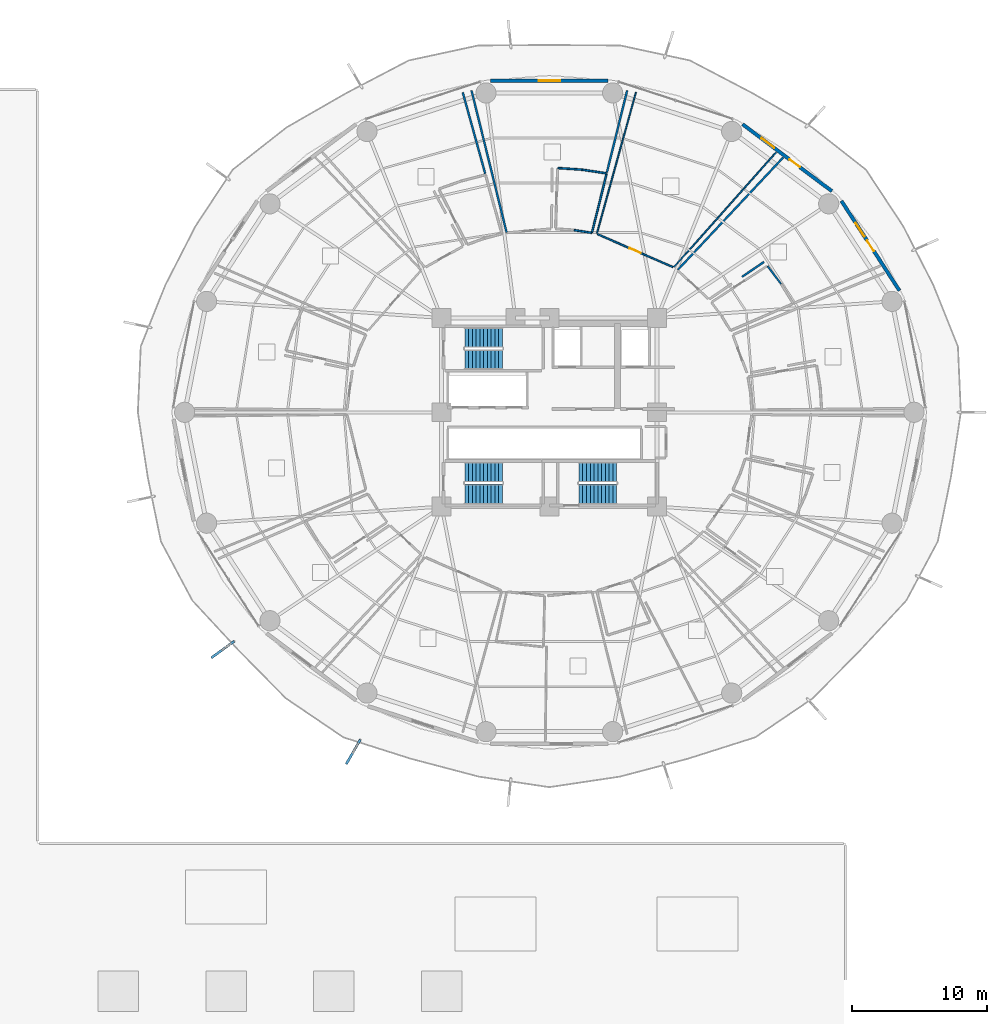
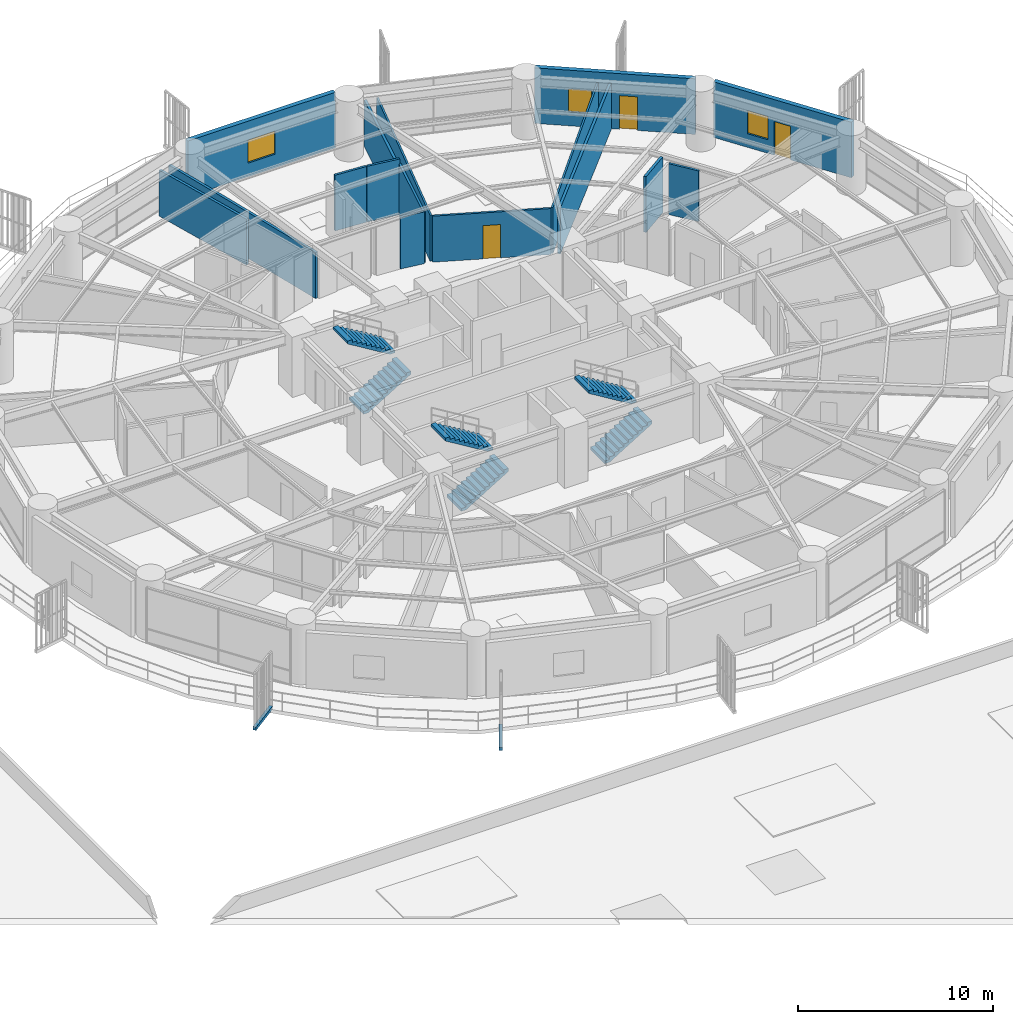
# One storey, part 29 of 35: 16 walls, 6 stair flights, 3 doors, 3 windows, 2 discrete accessories, 6 openings, 3 elements without a shape of their own.
"""IFC4 building model written with IfcOpenShell, lengths in metres."""

import ifcopenshell
import ifcopenshell.guid

model = None  # the IFC model being written
_history = None  # IfcOwnerHistory: only IFC2X3 demands one
_inside = {}  # id of a spatial element -> (the spatial element, [elements in it])
_under = {}  # id of a project, library or spatial element -> (it, [spatial elements below it])
_declared = {}  # id of a project -> (the project, [libraries it declares])
_typed = {}  # id of a type object -> (the type object, [elements of that type])
_made_of = {}  # id of a material, layer set ... -> (it, [elements and type objects made of it])


def new_model(schema):
    """Start an empty IFC model of exactly this schema.

    Asked for "IFC4X3", IfcOpenShell would pick the latest addendum, in which some entities
    have other attributes; the version numbers below select the first issue.
    IFC2X3 requires an IfcOwnerHistory on every rooted entity: one is made here for all.
    """
    global model, _history
    if schema == "IFC4X3":
        model = ifcopenshell.file(schema_version=(4, 3, 0, 0))
    else:
        model = ifcopenshell.file(schema=schema)
    _inside.clear()
    _under.clear()
    _declared.clear()
    _typed.clear()
    _made_of.clear()
    _history = None
    if model.schema == "IFC2X3":
        org = make("IfcOrganization", Name="unknown")
        user = make(
            "IfcPersonAndOrganization",
            ThePerson=make("IfcPerson", FamilyName="unknown"),
            TheOrganization=org,
        )
        app = make(
            "IfcApplication",
            ApplicationDeveloper=org,
            Version="unknown",
            ApplicationFullName="unknown",
            ApplicationIdentifier="unknown",
        )
        _history = make(
            "IfcOwnerHistory",
            OwningUser=user,
            OwningApplication=app,
            ChangeAction="ADDED",
            CreationDate=0,
        )
    return model


def make(cls, **values):
    """One entity of the class cls with the attributes given. An attribute that is None is left unset."""
    return model.create_entity(
        cls, **{name: value for name, value in values.items() if value is not None}
    )


def rooted(cls, **values):
    """An entity with a GlobalId (a new one), such as an element, a storey or a relation."""
    return make(cls, GlobalId=ifcopenshell.guid.new(), OwnerHistory=_history, **values)


def si_unit(unit_type, name, prefix=None):
    """IfcSIUnit, for example si_unit("LENGTHUNIT", "METRE", prefix="MILLI")."""
    return make("IfcSIUnit", UnitType=unit_type, Prefix=prefix, Name=name)


def assignment(units):
    """IfcUnitAssignment: the units of a project."""
    return None if units is None else make("IfcUnitAssignment", Units=units)


def point(xyz):
    """IfcCartesianPoint."""
    return None if xyz is None else make("IfcCartesianPoint", Coordinates=xyz)


def direction(xyz):
    """IfcDirection."""
    return None if xyz is None else make("IfcDirection", DirectionRatios=xyz)


def frame(location, z_axis=None, x_axis=None):
    """IfcAxis2Placement3D, a coordinate frame: its origin and axes. An axis left out is left unset."""
    return make(
        "IfcAxis2Placement3D",
        Location=point(location),
        Axis=direction(z_axis),
        RefDirection=direction(x_axis),
    )


def frame_2d(location, x_axis=None):
    """IfcAxis2Placement2D, a coordinate frame in the plane: its origin and x axis."""
    return make(
        "IfcAxis2Placement2D", Location=point(location), RefDirection=direction(x_axis)
    )


def origin():
    """The frame at (0, 0, 0) with its axes left unset."""
    return frame((0.0, 0.0, 0.0))


def origin_2d():
    """The frame at (0, 0) in the plane with its x axis left unset."""
    return frame_2d((0.0, 0.0))


def place(relative_to, where):
    """IfcLocalPlacement: puts the frame where relative to a parent placement (None: the world)."""
    return make(
        "IfcLocalPlacement", PlacementRelTo=relative_to, RelativePlacement=where
    )


def context(
    kind, dimensions, precision=None, world=None, true_north=None, identifier=None
):
    """IfcGeometricRepresentationContext, for example the 3D "Model" context."""
    return make(
        "IfcGeometricRepresentationContext",
        ContextIdentifier=identifier,
        ContextType=kind,
        CoordinateSpaceDimension=dimensions,
        Precision=precision,
        WorldCoordinateSystem=world,
        TrueNorth=true_north,
    )


def subcontext(parent, identifier, kind, view, scale=None):
    """IfcGeometricRepresentationSubContext, for example "Body" below "Model"."""
    return make(
        "IfcGeometricRepresentationSubContext",
        ContextIdentifier=identifier,
        ContextType=kind,
        ParentContext=parent,
        TargetScale=scale,
        TargetView=view,
    )


def project(units=None, contexts=None):
    """IfcProject with its units and contexts."""
    return rooted(
        "IfcProject",
        Name="project",
        RepresentationContexts=contexts,
        UnitsInContext=assignment(units),
    )


def spatial(cls, under=None, at=None, **own):
    """A site, building, storey or space (cls), placed at a placement, below another one or the project."""
    s = rooted(cls, ObjectPlacement=at, **own)
    if under is not None:
        _under.setdefault(under.id(), (under, []))[1].append(s)
    return s


def polyline(points):
    """IfcPolyline through the points."""
    return make("IfcPolyline", Points=[point(p) for p in points])


def profile(cls, at=None, kind="AREA", **sizes):
    """A parametric profile (cls). Its sizes go by their IFC names, for example OverallWidth=200.0."""
    return make(cls, ProfileType=kind, Position=at, **sizes)


def rectangle(**sizes):
    """IfcRectangleProfileDef."""
    return profile("IfcRectangleProfileDef", **sizes)


def outline(outer, holes=None, kind="AREA"):
    """IfcArbitraryClosedProfileDef: a profile drawn as a closed curve; with holes, ...WithVoids."""
    if holes is None:
        return make("IfcArbitraryClosedProfileDef", ProfileType=kind, OuterCurve=outer)
    return make(
        "IfcArbitraryProfileDefWithVoids",
        ProfileType=kind,
        OuterCurve=outer,
        InnerCurves=holes,
    )


def extrude(swept, where, along, depth):
    """IfcExtrudedAreaSolid: the profile swept, set in the frame where, extruded along a direction by depth."""
    return make(
        "IfcExtrudedAreaSolid",
        SweptArea=swept,
        Position=where,
        ExtrudedDirection=direction(along),
        Depth=depth,
    )


def shape(context_of_items, identifier, shape_type, items):
    """IfcShapeRepresentation: the items that make up one representation, for example the "Body"."""
    return make(
        "IfcShapeRepresentation",
        ContextOfItems=context_of_items,
        RepresentationIdentifier=identifier,
        RepresentationType=shape_type,
        Items=items,
    )


def source(mapping_origin, context_of_items, identifier, shape_type, items):
    """IfcRepresentationMap: a shape defined once, which mapped items show again and again."""
    return make(
        "IfcRepresentationMap",
        MappingOrigin=mapping_origin,
        MappedRepresentation=shape(context_of_items, identifier, shape_type, items),
    )


def transform(
    local_origin,
    x_axis=None,
    y_axis=None,
    z_axis=None,
    scale=None,
    scale2=None,
    scale3=None,
    uniform=True,
):
    """IfcCartesianTransformationOperator3D, or its non-uniform kind. x_axis, y_axis, z_axis: its Axis1, 2, 3."""
    if uniform:
        return make(
            "IfcCartesianTransformationOperator3D",
            Axis1=direction(x_axis),
            Axis2=direction(y_axis),
            LocalOrigin=point(local_origin),
            Scale=scale,
            Axis3=direction(z_axis),
        )
    return make(
        "IfcCartesianTransformationOperator3DnonUniform",
        Axis1=direction(x_axis),
        Axis2=direction(y_axis),
        LocalOrigin=point(local_origin),
        Scale=scale,
        Axis3=direction(z_axis),
        Scale2=scale2,
        Scale3=scale3,
    )


def mapped(mapping_source, mapping_target):
    """IfcMappedItem: shows the shape of a source again, moved by a transform."""
    return make(
        "IfcMappedItem", MappingSource=mapping_source, MappingTarget=mapping_target
    )


def material(Name=None, Category=None):
    """IfcMaterial."""
    return make("IfcMaterial", Name=Name, Category=Category)


def layer(
    of_material, thickness, ventilated=None, Name=None, Category=None, Priority=None
):
    """IfcMaterialLayer: one layer of a wall or slab, of a material (None: an air gap)."""
    return make(
        "IfcMaterialLayer",
        Material=of_material,
        LayerThickness=thickness,
        IsVentilated=ventilated,
        Name=Name,
        Category=Category,
        Priority=Priority,
    )


def layer_set(layers, Name=None):
    """IfcMaterialLayerSet."""
    return make("IfcMaterialLayerSet", MaterialLayers=layers, LayerSetName=Name)


def made_of(thing, what):
    """Note that an element or type object is made of a material, layer set ...; save() writes the relation."""
    if what is not None:
        _made_of.setdefault(what.id(), (what, []))[1].append(thing)
    return thing


def type_object(cls, material=None, **own):
    """A type object (cls), such as IfcWallType, which elements share."""
    return made_of(rooted(cls, **own), material)


def element(
    cls,
    number,
    at=None,
    inside=None,
    cuts=None,
    type_object=None,
    material=None,
    context=None,
    identifier="Body",
    shape_type=None,
    held_by="IfcProductDefinitionShape",
    body=None,
    shapes=None,
    **own,
):
    """One element of the class cls, such as IfcWall. Its Tag is "e" and its number.

    at: its placement. inside: the storey or other place that contains it. cuts: it is an
    opening in that element (IfcRelVoidsElement). A single representation is given by context,
    identifier, shape_type and body (its items); several are given by shapes. held_by: the class
    of the entity that holds the representations. save() writes the other relations.
    """
    e = rooted(cls, Tag="e%d" % number, ObjectPlacement=at, **own)
    if body is not None:
        shapes = [shape(context, identifier, shape_type, body)]
    if shapes is not None:
        e.Representation = make(held_by, Representations=shapes)
    if inside is not None:
        _inside.setdefault(inside.id(), (inside, []))[1].append(e)
    if cuts is not None:
        rooted(
            "IfcRelVoidsElement", RelatingBuildingElement=cuts, RelatedOpeningElement=e
        )
    if type_object is not None:
        _typed.setdefault(type_object.id(), (type_object, []))[1].append(e)
    return made_of(e, material)


def fill(opening, filler):
    """IfcRelFillsElement: the door or window that sits in an opening."""
    return rooted(
        "IfcRelFillsElement",
        RelatingOpeningElement=opening,
        RelatedBuildingElement=filler,
    )


def aggregate(whole, parts):
    """IfcRelAggregates: a whole, such as a stair, and the parts it consists of."""
    return rooted("IfcRelAggregates", RelatingObject=whole, RelatedObjects=parts)


def save(model, path):
    """Write the relations noted so far, then the file.

    IfcRelAggregates (storeys below a building ...), IfcRelContainedInSpatialStructure (elements
    in a storey), IfcRelDefinesByType, IfcRelAssociatesMaterial and IfcRelDeclares: one each for
    every whole, place, type object, material and project.
    """
    for whole, parts in _under.values():
        aggregate(whole, parts)
    for where, things in _inside.values():
        rooted(
            "IfcRelContainedInSpatialStructure",
            RelatedElements=things,
            RelatingStructure=where,
        )
    for kind, things in _typed.values():
        rooted("IfcRelDefinesByType", RelatedObjects=things, RelatingType=kind)
    for what, things in _made_of.values():
        rooted("IfcRelAssociatesMaterial", RelatedObjects=things, RelatingMaterial=what)
    for by, libraries in _declared.values():
        rooted("IfcRelDeclares", RelatingContext=by, RelatedDefinitions=libraries)
    model.write(path)


model = new_model("IFC4")

# Units and contexts
model_context = context("Model", 3, precision=1e-05, world=origin(), true_north=direction((0.0, 1.0)))
body_context = subcontext(model_context, "Body", "Model", "MODEL_VIEW")
ifc_project = project(units=[si_unit("LENGTHUNIT", "METRE"), si_unit("AREAUNIT", "SQUARE_METRE"), si_unit("VOLUMEUNIT", "CUBIC_METRE"), si_unit("PLANEANGLEUNIT", "RADIAN"), si_unit("MASSUNIT", "GRAM", prefix="KILO")], contexts=[model_context])

# Site, building, storey
site_placement = place(None, origin())
site = spatial("IfcSite", under=ifc_project, at=site_placement, CompositionType="ELEMENT")
building_placement = place(site_placement, origin())
building = spatial("IfcBuilding", under=site, at=building_placement, Name="Kelanora Arch Commons", CompositionType="ELEMENT")
storey_placement = place(building_placement, frame((0.0, 0.0, 22.5)))
storey = spatial("IfcBuildingStorey", under=building, at=storey_placement, Name="L05", CompositionType="ELEMENT", Elevation=22.5)

# Walls
ifc_material_1 = material(Name="Autoclaved aerated concrete blockwork with fire plaster", Category="masonry")
ifc_layer_1 = layer(ifc_material_1, 0.14990234375)
ifc_layer_set_1 = layer_set([ifc_layer_1], Name="Autoclaved aerated concrete blockwork with fire plaster")
wall_type_1 = type_object("IfcWallType", Name="W-COMP-150", PredefinedType="PARTITIONING", material=ifc_layer_set_1)
wall_1_placement = place(storey_placement, frame((83.54150390625, 68.581298828125, 0.0), z_axis=(0.0, 0.0, 1.0), x_axis=(0.684261294523, 0.729236916796, 0.0)))
element("IfcWall", 1, at=wall_1_placement, inside=storey, type_object=wall_type_1, Name="Co-Living Studio L05-02 Enclosure Partition 2", PredefinedType="PARTITIONING", context=body_context, shape_type="SweptSolid", body=[
    extrude(rectangle(XDim=11.4375, YDim=0.14990234375, at=frame_2d((5.71875, 0.0))), origin(), (0.0, 0.0, 1.0), 2.875),
])
wall_2_placement = place(storey_placement, frame((89.93896484375, 69.16552734375, 0.0), z_axis=(0.0, 0.0, 1.0), x_axis=(-0.826811291248, -0.562479411769, 0.0)))
element("IfcWall", 2, at=wall_2_placement, inside=storey, type_object=wall_type_1, Name="Co-Living Studio L05-02 Enclosure Partition 7", PredefinedType="PARTITIONING", context=body_context, shape_type="SweptSolid", body=[
    extrude(rectangle(XDim=1.970947265625, YDim=0.14990234375, at=frame_2d((0.9853515625, 0.0))), origin(), (0.0, 0.0, 1.0), 3.47998046875),
])
wall_3_placement = place(storey_placement, frame((70.825439453125, 71.36279296875, 0.0), z_axis=(0.0, 0.0, 1.0), x_axis=(-0.239971369295, 0.970779965759, 0.0)))
element("IfcWall", 3, at=wall_3_placement, inside=storey, type_object=wall_type_1, Name="Co-Living Studio L05-04 Enclosure Partition 2", PredefinedType="PARTITIONING", context=body_context, shape_type="SweptSolid", body=[
    extrude(rectangle(XDim=10.84619140625, YDim=0.14990234375, at=frame_2d((5.423095703125, 0.0))), origin(), (0.0, 0.0, 1.0), 2.875),
])
wall_4_placement = place(storey_placement, frame((79.77734375, 81.89208984375, 0.0), z_axis=(0.0, 0.0, 1.0), x_axis=(-0.240000910349, -0.970772662899, 0.0)))
element("IfcWall", 4, at=wall_4_placement, inside=storey, type_object=wall_type_1, Name="Co-Living Studio L05-04 Enclosure Partition 5", PredefinedType="PARTITIONING", context=body_context, shape_type="SweptSolid", body=[
    extrude(rectangle(XDim=6.257080078125, YDim=0.14990234375, at=frame_2d((3.12841796875, 0.0))), origin(), (0.0, 0.0, 1.0), 2.875),
])
wall_5_placement = place(storey_placement, frame((67.568603515625, 81.759521484375, 0.0), z_axis=(0.0, 0.0, 1.0), x_axis=(0.266691519666, -0.963781942837, 0.0)))
element("IfcWall", 5, at=wall_5_placement, inside=storey, type_object=wall_type_1, Name="Co-Living Studio L05-05 Enclosure Partition 5", PredefinedType="PARTITIONING", context=body_context, shape_type="SweptSolid", body=[
    extrude(rectangle(XDim=6.26806640625, YDim=0.14990234375, at=frame_2d((3.134033203125, 0.0))), origin(), (0.0, 0.0, 1.0), 2.875),
])

# Wall, openings, door, window
ifc_material_2 = material(Name="Precast concrete C40/50 with terracotta rainscreen", Category="masonry")
ifc_layer_2 = layer(ifc_material_2, 0.260009765625)
ifc_layer_set_2 = layer_set([ifc_layer_2], Name="Precast concrete C40/50 with terracotta rainscreen")
wall_type_2 = type_object("IfcWallType", Name="W-EXT-TC", PredefinedType="SOLIDWALL", material=ifc_layer_set_2)
wall_6_placement = place(storey_placement, frame((99.999267578125, 67.033203125, 0.0), z_axis=(0.0, 0.0, 1.0), x_axis=(-0.543005114258, 0.839729388488, 0.0)))
wall_6 = element("IfcWall", 6, at=wall_6_placement, inside=storey, type_object=wall_type_2, Name="Terracotta Exterior Wall L05-B01", PredefinedType="SOLIDWALL", context=body_context, shape_type="SweptSolid", body=[
    extrude(rectangle(XDim=7.9375, YDim=0.260009765625, at=frame_2d((3.96875, 0.0))), origin(), (0.0, 0.0, 1.0), 3.47509765625),
])
opening_1_placement = place(wall_6_placement, frame((3.493896484375, 0.0, 0.0)))
opening_1 = element("IfcOpeningElement", 7, at=opening_1_placement, cuts=wall_6, Name="Opening DB-01", PredefinedType="OPENING", context=body_context, shape_type="SweptSolid", body=[
    extrude(rectangle(XDim=0.949951171875, YDim=2.10009765625, at=frame_2d((0.47509765625, 1.050048828125))), frame((0.0, 0.14013671875, 0.0), z_axis=(0.0, -1.0, 0.0), x_axis=(1.0, 0.0, 0.0)), (0.0, 0.0, 1.0), 0.280029296875),
])
opening_2_placement = place(wall_6_placement, frame((4.7939453125, 0.0, 0.85009765625)))
opening_2 = element("IfcOpeningElement", 8, at=opening_2_placement, cuts=wall_6, Name="Opening WN-02", PredefinedType="OPENING", context=body_context, shape_type="SweptSolid", body=[
    extrude(rectangle(XDim=1.199951171875, YDim=1.449951171875, at=frame_2d((0.60009765625, 0.72509765625))), frame((0.0, 0.14013671875, 0.0), z_axis=(0.0, -1.0, 0.0), x_axis=(1.0, 0.0, 0.0)), (0.0, 0.0, 1.0), 0.280029296875),
])
ifc_material_3 = material(Name="Terracotta-aluminium thermally broken glazed balcony door", Category="masonry")
door_type_1 = type_object("IfcDoorType", Name="D-BAL-10", OperationType="NOTDEFINED", PredefinedType="DOOR", material=ifc_material_3)
door_1_placement = place(opening_1_placement, frame((0.949951171875, 0.0, 0.0), z_axis=(0.0, 0.0, 1.0), x_axis=(-1.0, 0.0, 0.0)))
door_1 = element("IfcDoor", 9, at=door_1_placement, inside=storey, type_object=door_type_1, Name="Wave Balcony Door L05-B01", OperationType="SINGLE_SWING_LEFT", OverallHeight=2.10009765625, OverallWidth=0.949951171875, PredefinedType="DOOR", context=body_context, shape_type="SweptSolid", body=[
    extrude(rectangle(XDim=0.949951171875, YDim=2.10009765625, at=frame_2d((0.47509765625, 1.050048828125))), frame((0.0, 0.02490234375, 0.0), z_axis=(0.0, -1.0, 0.0), x_axis=(1.0, 0.0, 0.0)), (0.0, 0.0, 1.0), 0.050048828125),
])
fill(opening_1, door_1)
ifc_material_4 = material(Name="Terracotta-anodised aluminium frame with operable awning sash", Category="masonry")
window_type_1 = type_object("IfcWindowType", Name="WIN-CL-12", PartitioningType="SINGLE_PANEL", PredefinedType="WINDOW", material=ifc_material_4)
window_1_placement = place(opening_2_placement, origin())
window_1 = element("IfcWindow", 10, at=window_1_placement, inside=storey, type_object=window_type_1, Name="Co-Living Operable Window L05-B01", OverallHeight=1.449951171875, OverallWidth=1.199951171875, PartitioningType="SINGLE_PANEL", PredefinedType="WINDOW", context=body_context, shape_type="SweptSolid", body=[
    extrude(rectangle(XDim=1.199951171875, YDim=1.449951171875, at=frame_2d((0.60009765625, 0.72509765625))), frame((0.0, 0.030029296875, 0.0), z_axis=(0.0, -1.0, 0.0), x_axis=(1.0, 0.0, 0.0)), (0.0, 0.0, 1.0), 0.06005859375),
])
fill(opening_2, window_1)

wall_7_placement = place(storey_placement, frame((94.98388671875, 74.418212890625, 0.0), z_axis=(0.0, 0.0, 1.0), x_axis=(-0.80030733173, 0.599590005569, 0.0)))
wall_7 = element("IfcWall", 11, at=wall_7_placement, inside=storey, type_object=wall_type_2, Name="Terracotta Exterior Wall L05-B02", PredefinedType="SOLIDWALL", context=body_context, shape_type="SweptSolid", body=[
    extrude(rectangle(XDim=8.29052734375, YDim=0.260009765625, at=frame_2d((4.145263671875, 0.0))), origin(), (0.0, 0.0, 1.0), 3.47509765625),
])
opening_3_placement = place(wall_7_placement, frame((2.969970703125, 0.0, 0.0)))
opening_3 = element("IfcOpeningElement", 12, at=opening_3_placement, cuts=wall_7, Name="Opening DB-01", PredefinedType="OPENING", context=body_context, shape_type="SweptSolid", body=[
    extrude(rectangle(XDim=0.949951171875, YDim=2.10009765625, at=frame_2d((0.47509765625, 1.050048828125))), frame((0.0, 0.14013671875, 0.0), z_axis=(0.0, -1.0, 0.0), x_axis=(1.0, 0.0, 0.0)), (0.0, 0.0, 1.0), 0.280029296875),
])
opening_4_placement = place(wall_7_placement, frame((5.35009765625, 0.0, 0.85009765625)))
opening_4 = element("IfcOpeningElement", 13, at=opening_4_placement, cuts=wall_7, Name="Opening WN-02", PredefinedType="OPENING", context=body_context, shape_type="SweptSolid", body=[
    extrude(rectangle(XDim=1.199951171875, YDim=1.449951171875, at=frame_2d((0.60009765625, 0.72509765625))), frame((0.0, 0.14013671875, 0.0), z_axis=(0.0, -1.0, 0.0), x_axis=(1.0, 0.0, 0.0)), (0.0, 0.0, 1.0), 0.280029296875),
])
door_2_placement = place(opening_3_placement, frame((0.949951171875, 0.0, 0.0), z_axis=(0.0, 0.0, 1.0), x_axis=(-1.0, 0.0, 0.0)))
door_2 = element("IfcDoor", 14, at=door_2_placement, inside=storey, type_object=door_type_1, Name="Wave Balcony Door L05-B02", OperationType="SINGLE_SWING_RIGHT", OverallHeight=2.10009765625, OverallWidth=0.949951171875, PredefinedType="DOOR", context=body_context, shape_type="SweptSolid", body=[
    extrude(rectangle(XDim=0.949951171875, YDim=2.10009765625, at=frame_2d((0.47509765625, 1.050048828125))), frame((0.0, 0.02490234375, 0.0), z_axis=(0.0, -1.0, 0.0), x_axis=(1.0, 0.0, 0.0)), (0.0, 0.0, 1.0), 0.050048828125),
])
fill(opening_3, door_2)
window_2_placement = place(opening_4_placement, origin())
window_2 = element("IfcWindow", 15, at=window_2_placement, inside=storey, type_object=window_type_1, Name="Co-Living Operable Window L05-B02", OverallHeight=1.449951171875, OverallWidth=1.199951171875, PartitioningType="SINGLE_PANEL", PredefinedType="WINDOW", context=body_context, shape_type="SweptSolid", body=[
    extrude(rectangle(XDim=1.199951171875, YDim=1.449951171875, at=frame_2d((0.60009765625, 0.72509765625))), frame((0.0, 0.030029296875, 0.0), z_axis=(0.0, -1.0, 0.0), x_axis=(1.0, 0.0, 0.0)), (0.0, 0.0, 1.0), 0.06005859375),
])
fill(opening_4, window_2)

# Wall, opening, window
wall_8_placement = place(storey_placement, frame((78.35595703125, 82.6201171875, 0.0), z_axis=(0.0, 0.0, 1.0), x_axis=(-1.0, 0.0, 0.0)))
wall_8 = element("IfcWall", 16, at=wall_8_placement, inside=storey, type_object=wall_type_2, Name="Terracotta Exterior Wall L05-B04", PredefinedType="SOLIDWALL", context=body_context, shape_type="SweptSolid", body=[
    extrude(rectangle(XDim=8.7119140625, YDim=0.260009765625, at=frame_2d((4.35595703125, 0.0))), origin(), (0.0, 0.0, 1.0), 3.47509765625),
])
opening_5_placement = place(wall_8_placement, frame((3.555908203125, 0.0, 0.85009765625)))
opening_5 = element("IfcOpeningElement", 17, at=opening_5_placement, cuts=wall_8, Name="Opening WN-01", PredefinedType="OPENING", context=body_context, shape_type="SweptSolid", body=[
    extrude(rectangle(XDim=1.60009765625, YDim=1.449951171875, at=frame_2d((0.800048828125, 0.72509765625))), frame((0.0, 0.14013671875, 0.0), z_axis=(0.0, -1.0, 0.0), x_axis=(1.0, 0.0, 0.0)), (0.0, 0.0, 1.0), 0.280029296875),
])
ifc_material_5 = material(Name="Terracotta-anodised aluminium frame with operable low-E glazing", Category="masonry")
window_type_2 = type_object("IfcWindowType", Name="WIN-CL-18", PartitioningType="DOUBLE_PANEL_VERTICAL", PredefinedType="WINDOW", material=ifc_material_5)
window_3_placement = place(opening_5_placement, origin())
window_3 = element("IfcWindow", 18, at=window_3_placement, inside=storey, type_object=window_type_2, Name="Co-Living Operable Window L05-B04", OverallHeight=1.449951171875, OverallWidth=1.60009765625, PartitioningType="SINGLE_PANEL", PredefinedType="WINDOW", context=body_context, shape_type="SweptSolid", body=[
    extrude(rectangle(XDim=1.60009765625, YDim=1.449951171875, at=frame_2d((0.800048828125, 0.72509765625))), frame((0.0, 0.030029296875, 0.0), z_axis=(0.0, -1.0, 0.0), x_axis=(1.0, 0.0, 0.0)), (0.0, 0.0, 1.0), 0.06005859375),
])
fill(opening_5, window_3)

# Walls
ifc_material_6 = material(Name="Lightweight fire-rated acoustic stud partition")
ifc_layer_3 = layer(ifc_material_6, 0.10009765625)
ifc_layer_set_3 = layer_set([ifc_layer_3], Name="Lightweight fire-rated acoustic stud partition")
wall_type_3 = type_object("IfcWallType", Name="W-PART-100", PredefinedType="PARTITIONING", material=ifc_layer_set_3)
wall_9_placement = place(storey_placement, frame((77.53369140625, 71.28857421875, 0.0), z_axis=(0.0, 0.0, 1.0), x_axis=(0.26671307518, 0.963775977875, 0.0)))
element("IfcWall", 19, at=wall_9_placement, inside=storey, type_object=wall_type_3, Name="Social Sky Lounge L05-03 Enclosure Partition 2", PredefinedType="PARTITIONING", context=body_context, shape_type="SweptSolid", body=[
    extrude(rectangle(XDim=10.864501953125, YDim=0.10009765625, at=frame_2d((5.43212890625, 0.0))), origin(), (0.0, 0.0, 1.0), 2.875),
])
wall_10_placement = place(storey_placement, frame((90.843505859375, 77.294189453125, 0.0), z_axis=(0.0, 0.0, 1.0), x_axis=(-0.66580890104, -0.746122313897, 0.0)))
element("IfcWall", 20, at=wall_10_placement, inside=storey, type_object=wall_type_3, Name="Social Sky Lounge L05-03 Enclosure Partition 4", PredefinedType="PARTITIONING", context=body_context, shape_type="SweptSolid", body=[
    extrude(rectangle(XDim=11.3994140625, YDim=0.10009765625, at=frame_2d((5.69970703125, 0.0))), origin(), (0.0, 0.0, 1.0), 2.875),
])

# Wall, opening, door
ifc_material_7 = material(Name="Acoustic twin-stud fire-rated gypsum partition")
ifc_layer_4 = layer(ifc_material_7, 0.1201171875)
ifc_layer_set_4 = layer_set([ifc_layer_4], Name="Acoustic twin-stud fire-rated gypsum partition")
wall_type_4 = type_object("IfcWallType", Name="W-PART-120", PredefinedType="PARTITIONING", material=ifc_layer_set_4)
wall_11_placement = place(storey_placement, frame((83.172119140625, 68.782958984375, 0.0), z_axis=(0.0, 0.0, 1.0), x_axis=(-0.916419655578, 0.400218708797, 0.0)))
wall_11 = element("IfcWall", 21, at=wall_11_placement, inside=storey, type_object=wall_type_4, Name="Social Sky Lounge L05-03 Entry Partition", PredefinedType="PARTITIONING", context=body_context, shape_type="SweptSolid", body=[
    extrude(rectangle(XDim=6.1044921875, YDim=0.1201171875, at=frame_2d((3.05224609375, 0.0))), origin(), (0.0, 0.0, 1.0), 2.875),
])
opening_6_placement = place(wall_11_placement, frame((2.60205078125, 0.0, 0.0)))
opening_6 = element("IfcOpeningElement", 22, at=opening_6_placement, cuts=wall_11, Name="Opening D-RM1", PredefinedType="OPENING", context=body_context, shape_type="SweptSolid", body=[
    extrude(rectangle(XDim=0.89990234375, YDim=2.080078125, at=frame_2d((0.449951171875, 1.0400390625))), frame((0.0, 0.070068359375, 0.0), z_axis=(0.0, -1.0, 0.0), x_axis=(1.0, 0.0, 0.0)), (0.0, 0.0, 1.0), 0.14013671875),
])
ifc_material_8 = material(Name="Acoustic fire-rated timber study and lounge door", Category="wood")
door_type_2 = type_object("IfcDoorType", Name="D-ROOM-90", OperationType="NOTDEFINED", PredefinedType="DOOR", material=ifc_material_8)
door_3_placement = place(opening_6_placement, origin())
door_3 = element("IfcDoor", 23, at=door_3_placement, inside=storey, type_object=door_type_2, Name="Social Sky Lounge L05-03 Door", OperationType="SINGLE_SWING_RIGHT", OverallHeight=2.080078125, OverallWidth=0.89990234375, PredefinedType="DOOR", context=body_context, shape_type="SweptSolid", body=[
    extrude(rectangle(XDim=0.89990234375, YDim=2.080078125, at=frame_2d((0.449951171875, 1.0400390625))), frame((0.0, 0.02490234375, 0.0), z_axis=(0.0, -1.0, 0.0), x_axis=(1.0, 0.0, 0.0)), (0.0, 0.0, 1.0), 0.050048828125),
])
fill(opening_6, door_3)

# Walls
ifc_material_9 = material(Name="Moisture-resistant fire-rated cement-board plumbing wall")
ifc_layer_5 = layer(ifc_material_9, 0.1298828125)
ifc_layer_set_5 = layer_set([ifc_layer_5], Name="Moisture-resistant fire-rated cement-board plumbing wall")
wall_type_5 = type_object("IfcWallType", Name="W-WET-120", PredefinedType="PLUMBINGWALL", material=ifc_layer_set_5)
wall_12_placement = place(storey_placement, frame((90.19921875, 68.858154296875, 0.0), z_axis=(0.0, 0.0, 1.0), x_axis=(0.60376191721, -0.797164692725, 0.0)))
element("IfcWall", 24, at=wall_12_placement, inside=storey, type_object=wall_type_5, Name="En-Suite Shower WC L05-02 Enclosure Partition 4", PredefinedType="PLUMBINGWALL", context=body_context, shape_type="SweptSolid", body=[
    extrude(rectangle(XDim=1.668701171875, YDim=0.1298828125, at=frame_2d((0.83447265625, 0.0))), origin(), (0.0, 0.0, 1.0), 3.175048828125),
])
wall_13_placement = place(storey_placement, frame((77.145263671875, 71.326904296875, 0.0), z_axis=(0.0, 0.0, 1.0), x_axis=(-0.988427236939, 0.151695739152, 0.0)))
element("IfcWall", 25, at=wall_13_placement, inside=storey, type_object=wall_type_5, Name="En-Suite Shower WC L05-04 Enclosure Partition 1", PredefinedType="PLUMBINGWALL", context=body_context, shape_type="SweptSolid", body=[
    extrude(rectangle(XDim=1.31982421875, YDim=0.1298828125, at=frame_2d((0.659912109375, 0.0))), origin(), (0.0, 0.0, 1.0), 3.235107421875),
])
wall_14_placement = place(storey_placement, frame((74.64111328125, 76.13671875, 0.0), z_axis=(0.0, 0.0, 1.0), x_axis=(0.997667905772, -0.06825503493, 0.0)))
element("IfcWall", 26, at=wall_14_placement, inside=storey, type_object=wall_type_5, Name="En-Suite Shower WC L05-04 Enclosure Partition 4", PredefinedType="PLUMBINGWALL", context=body_context, shape_type="SweptSolid", body=[
    extrude(rectangle(XDim=1.7919921875, YDim=0.1298828125, at=frame_2d((0.89599609375, 0.0))), origin(), (0.0, 0.0, 1.0), 3.47998046875),
])
wall_15_placement = place(storey_placement, frame((76.46875, 76.010009765625, 0.0), z_axis=(0.0, 0.0, 1.0), x_axis=(0.988799846431, -0.14924765894, 0.0)))
element("IfcWall", 27, at=wall_15_placement, inside=storey, type_object=wall_type_5, Name="En-Suite Shower WC L05-04 Enclosure Partition 5", PredefinedType="PLUMBINGWALL", context=body_context, shape_type="SweptSolid", body=[
    extrude(rectangle(XDim=1.78955078125, YDim=0.1298828125, at=frame_2d((0.894775390625, 0.0))), origin(), (0.0, 0.0, 1.0), 3.47998046875),
])
wall_16_placement = place(storey_placement, frame((78.253173828125, 75.720703125, 0.0), z_axis=(0.0, 0.0, 1.0), x_axis=(-0.240229117536, -0.970716215528, 0.0)))
element("IfcWall", 28, at=wall_16_placement, inside=storey, type_object=wall_type_5, Name="En-Suite Shower WC L05-04 Enclosure Partition 6", PredefinedType="PLUMBINGWALL", context=body_context, shape_type="SweptSolid", body=[
    extrude(rectangle(XDim=4.50927734375, YDim=0.1298828125, at=frame_2d((2.254638671875, 0.0))), origin(), (0.0, 0.0, 1.0), 3.175048828125),
])

# Stair, stair flights
ifc_material_10 = material(Name="Concrete C40/50", Category="concrete")
stair_type = type_object("IfcStairType", Name="STR-DL-375", PredefinedType="HALF_TURN_STAIR", material=ifc_material_10)
stair_1_placement = place(storey_placement, origin())
stair_1 = element("IfcStair", 29, at=stair_1_placement, inside=storey, type_object=stair_type, Name="L05 ST-T1", PredefinedType="HALF_TURN_STAIR")
stair_flight_type = type_object("IfcStairFlightType", Name="FLT-DL-375", PredefinedType="STRAIGHT", material=ifc_material_10)
stair_flight_1_placement = place(storey_placement, frame((67.719970703125, 61.919921875, 0.0), z_axis=(0.0, 0.0, 1.0), x_axis=(1.0, 0.0, 0.0)))
stair_flight_1 = element("IfcStairFlight", 30, at=stair_flight_1_placement, type_object=stair_flight_type, Name="ST-T1 flight 1", NumberOfRisers=11, NumberOfTreads=10, PredefinedType="STRAIGHT", RiserHeight=0.170454545, TreadLength=0.28, context=body_context, shape_type="SweptSolid", body=[
    extrude(outline(polyline([(0.0, 0.0), (0.0, 0.17041015625), (0.280029296875, 0.17041015625), (0.280029296875, 0.3408203125), (0.56005859375, 0.3408203125), (0.56005859375, 0.511474609375), (0.840087890625, 0.511474609375), (0.840087890625, 0.681884765625), (1.1201171875, 0.681884765625), (1.1201171875, 0.852294921875), (1.39990234375, 0.852294921875), (1.39990234375, 1.022705078125), (1.679931640625, 1.022705078125), (1.679931640625, 1.193115234375), (1.9599609375, 1.193115234375), (1.9599609375, 1.363525390625), (2.239990234375, 1.363525390625), (2.239990234375, 1.5341796875), (2.52001953125, 1.5341796875), (2.52001953125, 1.70458984375), (2.800048828125, 1.70458984375), (2.800048828125, 1.875), (2.800048828125, 1.529052734375), (0.288330078125, 0.0), (0.0, 0.0)])), frame((0.0, 0.739990234375, 0.0), z_axis=(0.0, -1.0, 0.0), x_axis=(1.0, 0.0, 0.0)), (0.0, 0.0, 1.0), 1.47998046875),
])
stair_flight_2_placement = place(storey_placement, frame((70.52001953125, 63.550048828125, 1.875), z_axis=(0.0, 0.0, 1.0), x_axis=(-1.0, 0.0, 0.0)))
stair_flight_2 = element("IfcStairFlight", 31, at=stair_flight_2_placement, type_object=stair_flight_type, Name="ST-T1 flight 2", NumberOfRisers=11, NumberOfTreads=10, PredefinedType="STRAIGHT", RiserHeight=0.170454545, TreadLength=0.28, context=body_context, shape_type="SweptSolid", body=[
    extrude(outline(polyline([(0.0, 0.0), (0.0, 0.17041015625), (0.280029296875, 0.17041015625), (0.280029296875, 0.3408203125), (0.56005859375, 0.3408203125), (0.56005859375, 0.511474609375), (0.840087890625, 0.511474609375), (0.840087890625, 0.681884765625), (1.1201171875, 0.681884765625), (1.1201171875, 0.852294921875), (1.39990234375, 0.852294921875), (1.39990234375, 1.022705078125), (1.679931640625, 1.022705078125), (1.679931640625, 1.193115234375), (1.9599609375, 1.193115234375), (1.9599609375, 1.363525390625), (2.239990234375, 1.363525390625), (2.239990234375, 1.5341796875), (2.52001953125, 1.5341796875), (2.52001953125, 1.70458984375), (2.800048828125, 1.70458984375), (2.800048828125, 1.875), (2.800048828125, 1.529052734375), (0.288330078125, 0.0), (0.0, 0.0)])), frame((0.0, 0.739990234375, 0.0), z_axis=(0.0, -1.0, 0.0), x_axis=(1.0, 0.0, 0.0)), (0.0, 0.0, 1.0), 1.47998046875),
])
aggregate(stair_1, [stair_flight_1, stair_flight_2])

stair_2_placement = place(storey_placement, origin())
stair_2 = element("IfcStair", 32, at=stair_2_placement, inside=storey, type_object=stair_type, Name="L05 ST-T2", PredefinedType="HALF_TURN_STAIR")
stair_flight_3_placement = place(storey_placement, frame((76.199951171875, 51.919921875, 0.0), z_axis=(0.0, 0.0, 1.0), x_axis=(1.0, 0.0, 0.0)))
stair_flight_3 = element("IfcStairFlight", 33, at=stair_flight_3_placement, type_object=stair_flight_type, Name="ST-T2 flight 1", NumberOfRisers=11, NumberOfTreads=10, PredefinedType="STRAIGHT", RiserHeight=0.170454545, TreadLength=0.28, context=body_context, shape_type="SweptSolid", body=[
    extrude(outline(polyline([(0.0, 0.0), (0.0, 0.17041015625), (0.280029296875, 0.17041015625), (0.280029296875, 0.3408203125), (0.56005859375, 0.3408203125), (0.56005859375, 0.511474609375), (0.840087890625, 0.511474609375), (0.840087890625, 0.681884765625), (1.1201171875, 0.681884765625), (1.1201171875, 0.852294921875), (1.39990234375, 0.852294921875), (1.39990234375, 1.022705078125), (1.679931640625, 1.022705078125), (1.679931640625, 1.193115234375), (1.9599609375, 1.193115234375), (1.9599609375, 1.363525390625), (2.239990234375, 1.363525390625), (2.239990234375, 1.5341796875), (2.52001953125, 1.5341796875), (2.52001953125, 1.70458984375), (2.800048828125, 1.70458984375), (2.800048828125, 1.875), (2.800048828125, 1.529052734375), (0.288330078125, 0.0), (0.0, 0.0)])), frame((0.0, 0.739990234375, 0.0), z_axis=(0.0, -1.0, 0.0), x_axis=(1.0, 0.0, 0.0)), (0.0, 0.0, 1.0), 1.47998046875),
])
stair_flight_4_placement = place(storey_placement, frame((79.0, 53.550048828125, 1.875), z_axis=(0.0, 0.0, 1.0), x_axis=(-1.0, 0.0, 0.0)))
stair_flight_4 = element("IfcStairFlight", 34, at=stair_flight_4_placement, type_object=stair_flight_type, Name="ST-T2 flight 2", NumberOfRisers=11, NumberOfTreads=10, PredefinedType="STRAIGHT", RiserHeight=0.170454545, TreadLength=0.28, context=body_context, shape_type="SweptSolid", body=[
    extrude(outline(polyline([(0.0, 0.0), (0.0, 0.17041015625), (0.280029296875, 0.17041015625), (0.280029296875, 0.3408203125), (0.56005859375, 0.3408203125), (0.56005859375, 0.511474609375), (0.840087890625, 0.511474609375), (0.840087890625, 0.681884765625), (1.1201171875, 0.681884765625), (1.1201171875, 0.852294921875), (1.39990234375, 0.852294921875), (1.39990234375, 1.022705078125), (1.679931640625, 1.022705078125), (1.679931640625, 1.193115234375), (1.9599609375, 1.193115234375), (1.9599609375, 1.363525390625), (2.239990234375, 1.363525390625), (2.239990234375, 1.5341796875), (2.52001953125, 1.5341796875), (2.52001953125, 1.70458984375), (2.800048828125, 1.70458984375), (2.800048828125, 1.875), (2.800048828125, 1.529052734375), (0.288330078125, 0.0), (0.0, 0.0)])), frame((0.0, 0.739990234375, 0.0), z_axis=(0.0, -1.0, 0.0), x_axis=(1.0, 0.0, 0.0)), (0.0, 0.0, 1.0), 1.47998046875),
])
aggregate(stair_2, [stair_flight_3, stair_flight_4])

stair_3_placement = place(storey_placement, origin())
stair_3 = element("IfcStair", 35, at=stair_3_placement, inside=storey, type_object=stair_type, Name="L05 ST-T3", PredefinedType="HALF_TURN_STAIR")
stair_flight_5_placement = place(storey_placement, frame((67.719970703125, 51.919921875, 0.0), z_axis=(0.0, 0.0, 1.0), x_axis=(1.0, 0.0, 0.0)))
stair_flight_5 = element("IfcStairFlight", 36, at=stair_flight_5_placement, type_object=stair_flight_type, Name="ST-T3 flight 1", NumberOfRisers=11, NumberOfTreads=10, PredefinedType="STRAIGHT", RiserHeight=0.170454545, TreadLength=0.28, context=body_context, shape_type="SweptSolid", body=[
    extrude(outline(polyline([(0.0, 0.0), (0.0, 0.17041015625), (0.280029296875, 0.17041015625), (0.280029296875, 0.3408203125), (0.56005859375, 0.3408203125), (0.56005859375, 0.511474609375), (0.840087890625, 0.511474609375), (0.840087890625, 0.681884765625), (1.1201171875, 0.681884765625), (1.1201171875, 0.852294921875), (1.39990234375, 0.852294921875), (1.39990234375, 1.022705078125), (1.679931640625, 1.022705078125), (1.679931640625, 1.193115234375), (1.9599609375, 1.193115234375), (1.9599609375, 1.363525390625), (2.239990234375, 1.363525390625), (2.239990234375, 1.5341796875), (2.52001953125, 1.5341796875), (2.52001953125, 1.70458984375), (2.800048828125, 1.70458984375), (2.800048828125, 1.875), (2.800048828125, 1.529052734375), (0.288330078125, 0.0), (0.0, 0.0)])), frame((0.0, 0.739990234375, 0.0), z_axis=(0.0, -1.0, 0.0), x_axis=(1.0, 0.0, 0.0)), (0.0, 0.0, 1.0), 1.47998046875),
])
stair_flight_6_placement = place(storey_placement, frame((70.52001953125, 53.550048828125, 1.875), z_axis=(0.0, 0.0, 1.0), x_axis=(-1.0, 0.0, 0.0)))
stair_flight_6 = element("IfcStairFlight", 37, at=stair_flight_6_placement, type_object=stair_flight_type, Name="ST-T3 flight 2", NumberOfRisers=11, NumberOfTreads=10, PredefinedType="STRAIGHT", RiserHeight=0.170454545, TreadLength=0.28, context=body_context, shape_type="SweptSolid", body=[
    extrude(outline(polyline([(0.0, 0.0), (0.0, 0.17041015625), (0.280029296875, 0.17041015625), (0.280029296875, 0.3408203125), (0.56005859375, 0.3408203125), (0.56005859375, 0.511474609375), (0.840087890625, 0.511474609375), (0.840087890625, 0.681884765625), (1.1201171875, 0.681884765625), (1.1201171875, 0.852294921875), (1.39990234375, 0.852294921875), (1.39990234375, 1.022705078125), (1.679931640625, 1.022705078125), (1.679931640625, 1.193115234375), (1.9599609375, 1.193115234375), (1.9599609375, 1.363525390625), (2.239990234375, 1.363525390625), (2.239990234375, 1.5341796875), (2.52001953125, 1.5341796875), (2.52001953125, 1.70458984375), (2.800048828125, 1.70458984375), (2.800048828125, 1.875), (2.800048828125, 1.529052734375), (0.288330078125, 0.0), (0.0, 0.0)])), frame((0.0, 0.739990234375, 0.0), z_axis=(0.0, -1.0, 0.0), x_axis=(1.0, 0.0, 0.0)), (0.0, 0.0, 1.0), 1.47998046875),
])
aggregate(stair_3, [stair_flight_5, stair_flight_6])

# Discrete accessories
ifc_material_11 = material(Name="Stainless steel 316 marine fin bracket", Category="steel")
discrete_accessory_type = type_object("IfcDiscreteAccessoryType", Name="ACC-FIN-BRK", PredefinedType="BRACKET", material=ifc_material_11)
shared_shape = source(origin(), body_context, "Body", "SweptSolid", [
    extrude(rectangle(XDim=2.090087890625, YDim=0.179931640625, at=origin_2d()), origin(), (0.0, 0.0, 1.0), 0.199951171875),
])
for number, where, z_axis, x_axis, name in (
    (38, (49.752685546875, 40.38330078125, -0.16015625), (0.0, 0.0, 1.0), (-0.809016994375, -0.587785252292, 0.0), "Sweeping Fin Cantilever Spine Bracket L05-09"),
    (39, (59.4404296875, 32.7822265625, -0.16015625), (0.0, 0.0, 1.0), (-0.5, -0.866025403784, 0.0), "Sweeping Fin Cantilever Spine Bracket L05-10"),
):
    element("IfcDiscreteAccessory", number, at=place(storey_placement, frame(where, z_axis=z_axis, x_axis=x_axis)), inside=storey, type_object=discrete_accessory_type, Name=name, PredefinedType="BRACKET", context=body_context, shape_type="MappedRepresentation", body=[
        mapped(shared_shape, transform((0.0, 0.0, 0.0), scale=1.0)),
    ])

save(model, "model.ifc")
